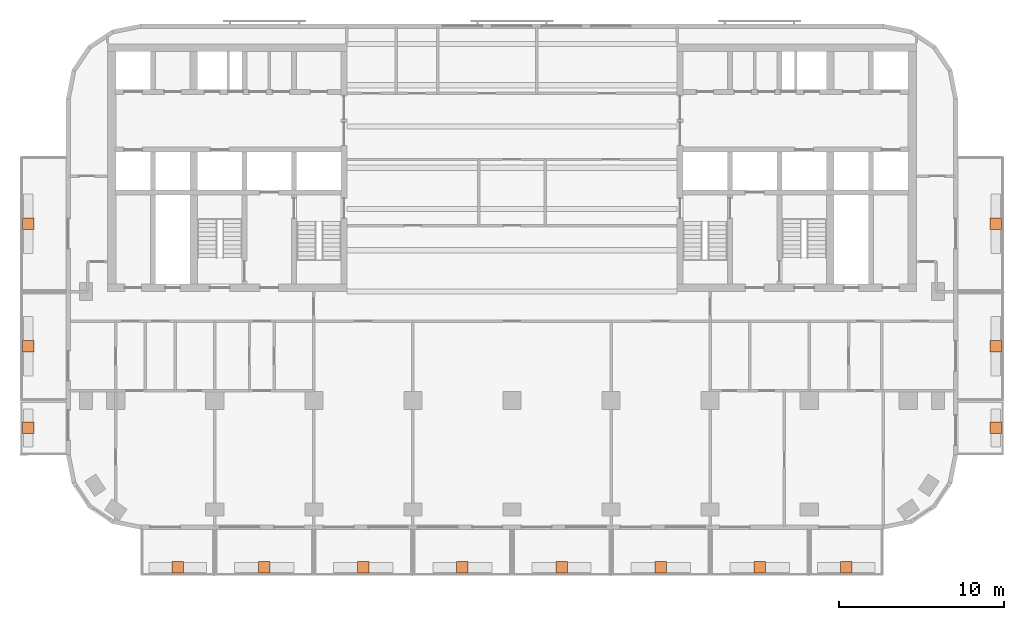
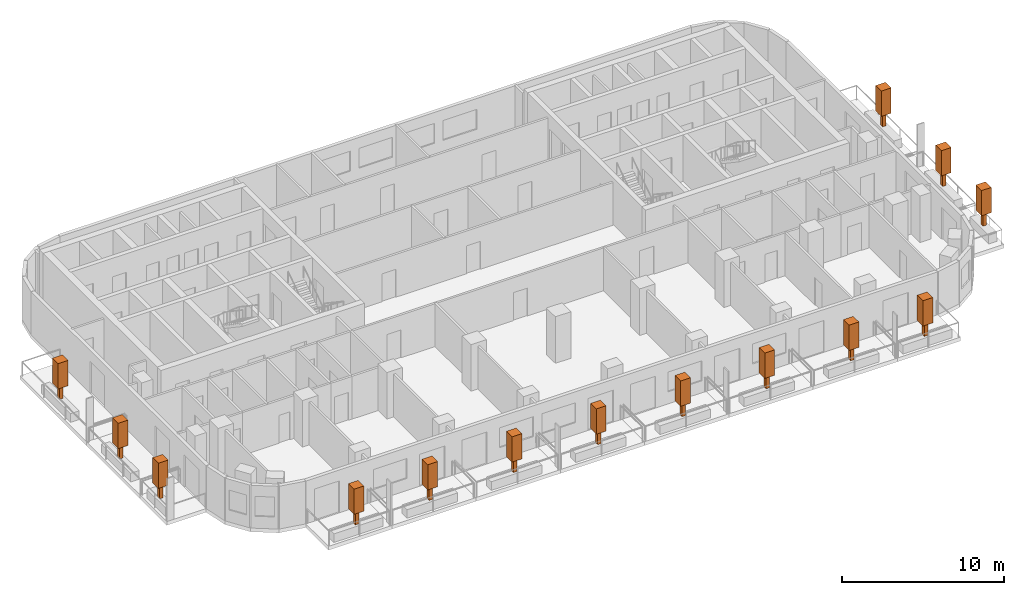
# One storey, part 11 of 11: 14 geographic elements.
"""IFC4 building model written with IfcOpenShell, lengths in metres."""

from ifc_helpers import new_model, si_unit, direction, frame, origin, origin_2d, place, context, subcontext, project, spatial, rectangle, extrude, material, element, save


model = new_model("IFC4")

# Units and contexts
model_context = context("Model", 3, precision=1e-05, world=origin(), true_north=direction((0.0, 1.0)))
body_context = subcontext(model_context, "Body", "Model", "MODEL_VIEW")
ifc_project = project(units=[si_unit("LENGTHUNIT", "METRE"), si_unit("AREAUNIT", "SQUARE_METRE"), si_unit("VOLUMEUNIT", "CUBIC_METRE"), si_unit("PLANEANGLEUNIT", "RADIAN"), si_unit("MASSUNIT", "GRAM", prefix="KILO")], contexts=[model_context])

# Site, building, storey
site_placement = place(None, origin())
site = spatial("IfcSite", under=ifc_project, at=site_placement, CompositionType="ELEMENT")
building_placement = place(site_placement, origin())
building = spatial("IfcBuilding", under=site, at=building_placement, Name="Torana Hotel and Residences", CompositionType="ELEMENT")
storey_placement = place(building_placement, frame((0.0, 0.0, 215.10009765625)))
storey = spatial("IfcBuildingStorey", under=building, at=storey_placement, Name="L56", CompositionType="ELEMENT", Elevation=215.10009765625)

# Geographic elements
ifc_material = material(Name="Foliage", Category="planting")
for number, where, z_axis, x_axis, name in (
    (1, (-20.25, -31.699951171875, 0.64990234375), (0.0, 0.0, 1.0), (1.0, 0.0, 0.0), "Tree 01"),
    (2, (-15.0, -31.699951171875, 0.64990234375), (0.0, 0.0, 1.0), (1.0, 0.0, 0.0), "Tree 02"),
    (3, (-9.0, -31.699951171875, 0.64990234375), (0.0, 0.0, 1.0), (1.0, 0.0, 0.0), "Tree 03"),
    (4, (-3.0, -31.699951171875, 0.64990234375), (0.0, 0.0, 1.0), (1.0, 0.0, 0.0), "Tree 04"),
    (5, (3.0, -31.699951171875, 0.64990234375), (0.0, 0.0, 1.0), (1.0, 0.0, 0.0), "Tree 05"),
    (6, (9.0, -31.699951171875, 0.64990234375), (0.0, 0.0, 1.0), (1.0, 0.0, 0.0), "Tree 06"),
    (7, (15.0, -31.699951171875, 0.64990234375), (0.0, 0.0, 1.0), (1.0, 0.0, 0.0), "Tree 07"),
    (8, (20.25, -31.699951171875, 0.64990234375), (0.0, 0.0, 1.0), (1.0, 0.0, 0.0), "Tree 08"),
    (9, (-29.300048828125, -23.25, 0.64990234375), (0.0, 0.0, 1.0), (1.0, 0.0, 0.0), "Tree 09"),
    (10, (-29.300048828125, -18.300048828125, 0.64990234375), (0.0, 0.0, 1.0), (1.0, 0.0, 0.0), "Tree 10"),
    (11, (-29.300048828125, -10.89990234375, 0.64990234375), (0.0, 0.0, 1.0), (1.0, 0.0, 0.0), "Tree 11"),
    (12, (29.300048828125, -23.25, 0.64990234375), (0.0, 0.0, 1.0), (1.0, 0.0, 0.0), "Tree 12"),
    (13, (29.300048828125, -18.300048828125, 0.64990234375), (0.0, 0.0, 1.0), (1.0, 0.0, 0.0), "Tree 13"),
    (14, (29.300048828125, -10.89990234375, 0.64990234375), (0.0, 0.0, 1.0), (1.0, 0.0, 0.0), "Tree 14"),
):
    element("IfcGeographicElement", number, at=place(storey_placement, frame(where, z_axis=z_axis, x_axis=x_axis)), inside=storey, material=ifc_material, Name=name, ObjectType="TREE", PredefinedType="USERDEFINED", context=body_context, shape_type="SweptSolid", body=[
        extrude(rectangle(XDim=0.25, YDim=0.25, at=origin_2d()), origin(), (0.0, 0.0, 1.0), 1.0),
        extrude(rectangle(XDim=0.699951171875, YDim=0.699951171875, at=origin_2d()), frame((0.0, 0.0, 1.0)), (0.0, 0.0, 1.0), 1.89990234375),
    ])

save(model, "model.ifc")
